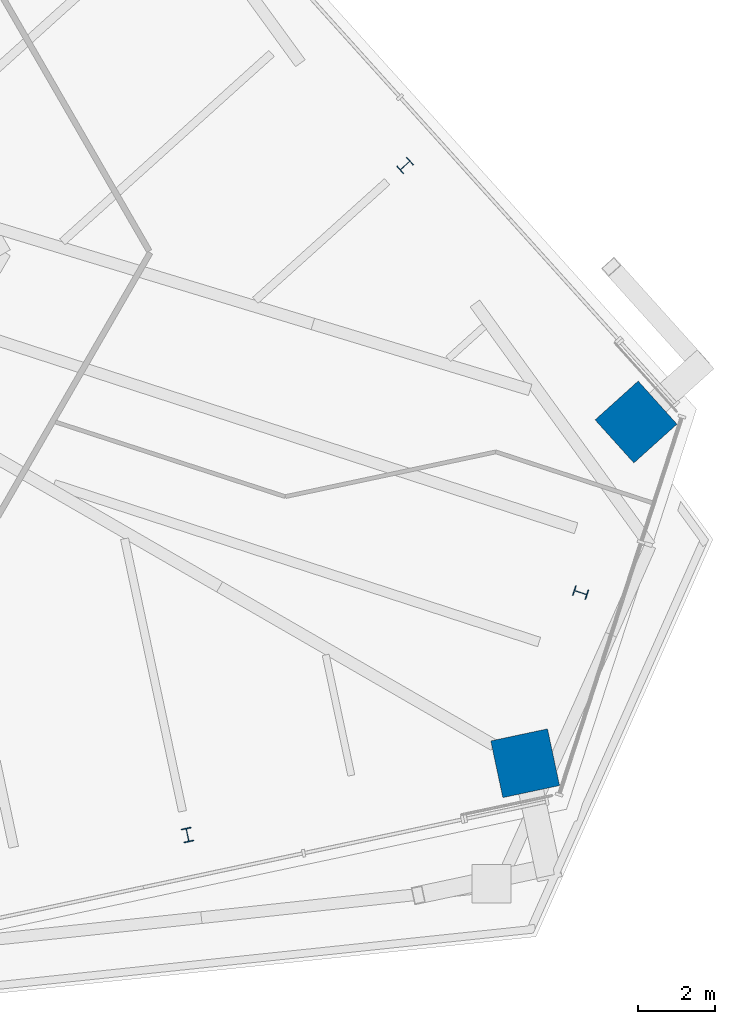
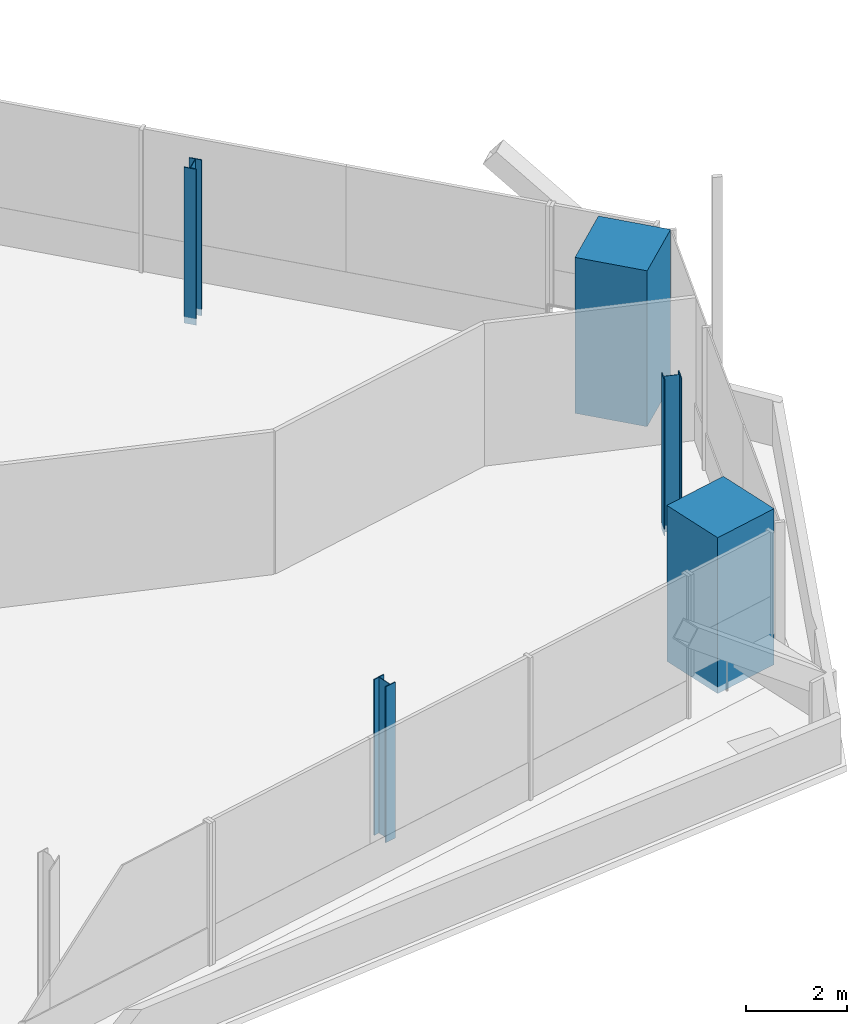
# One storey, part 2 of 20: 5 columns.
"""IFC4 building model written with IfcOpenShell, lengths in metres."""

from ifc_helpers import new_model, si_unit, direction, frame, origin, origin_2d, place, context, subcontext, project, spatial, rectangle, i_section, extrude, source, transform, mapped, material, material_profile, profile_set, type_object, element, save


model = new_model("IFC4")

# Units and contexts
model_context = context("Model", 3, precision=1e-05, world=origin(), true_north=direction((0.0, 1.0)))
body_context = subcontext(model_context, "Body", "Model", "MODEL_VIEW")
ifc_project = project(units=[si_unit("LENGTHUNIT", "METRE"), si_unit("AREAUNIT", "SQUARE_METRE"), si_unit("VOLUMEUNIT", "CUBIC_METRE"), si_unit("PLANEANGLEUNIT", "RADIAN"), si_unit("MASSUNIT", "GRAM", prefix="KILO")], contexts=[model_context])

# Site, building, storey
site_placement = place(None, origin())
site = spatial("IfcSite", under=ifc_project, at=site_placement, CompositionType="ELEMENT")
building_placement = place(site_placement, origin())
building = spatial("IfcBuilding", under=site, at=building_placement, Name="Triune Harvest Tower", CompositionType="ELEMENT")
storey_placement = place(building_placement, frame((0.0, 0.0, 259.5)))
storey = spatial("IfcBuildingStorey", under=building, at=storey_placement, Name="L68", CompositionType="ELEMENT", Elevation=259.5)

# Columns
ifc_material_1 = material(Name="Concrete 70 MPa", Category="concrete")
ifc_material_profile_1 = material_profile(ifc_material_1, rectangle(XDim=1.5, YDim=1.5, at=origin_2d()), Name="Composite 1500x1500")
ifc_profile_set_1 = profile_set([ifc_material_profile_1], Name="Concrete 70 MPa")
column_type_1 = type_object("IfcColumnType", Name="MC-7 Mega column Composite 1500x1500", PredefinedType="COLUMN", material=ifc_profile_set_1)
shared_shape_1 = source(origin(), body_context, "Body", "SweptSolid", [
    extrude(rectangle(XDim=1.5, YDim=1.5, at=origin_2d()), origin(), (0.0, 0.0, 1.0), 3.760009765625),
])
for number, where, z_axis, x_axis, name in (
    (1, (28.4931640625, -4.379150390625, -0.159912109375), (0.0, 0.0, 1.0), (-0.669130606359, 0.743144825477, 0.0), "col/L68/M0"),
    (2, (25.62548828125, -13.205078125, -0.159912109375), (0.0, 0.0, 1.0), (0.978147237858, 0.207913398007, 0.0), "col/L68/M19"),
):
    element("IfcColumn", number, at=place(storey_placement, frame(where, z_axis=z_axis, x_axis=x_axis)), inside=storey, type_object=column_type_1, Name=name, PredefinedType="COLUMN", context=body_context, shape_type="MappedRepresentation", body=[
        mapped(shared_shape_1, transform((0.0, 0.0, 0.0), scale=1.0)),
    ])
ifc_material_2 = material(Name="Steel ASTM A992 Gr 50", Category="steel")
ifc_material_profile_2 = material_profile(ifc_material_2, i_section(OverallWidth=0.256591796875, OverallDepth=0.360595703125, WebThickness=0.011474609375, FlangeThickness=0.02001953125, at=origin_2d()), Name="W14x74")
ifc_profile_set_2 = profile_set([ifc_material_profile_2], Name="Steel ASTM A992 Gr 50")
column_type_2 = type_object("IfcColumnType", Name="PC-7 Perimeter column W14x74", PredefinedType="COLUMN", material=ifc_profile_set_2)
shared_shape_2 = source(origin(), body_context, "Body", "SweptSolid", [
    extrude(i_section(OverallWidth=0.256591796875, OverallDepth=0.360595703125, WebThickness=0.011474609375, FlangeThickness=0.02001953125, at=origin_2d()), origin(), (0.0, 0.0, 1.0), 3.760009765625),
])
for number, where, z_axis, x_axis, name in (
    (3, (22.519287109375, 2.255615234375, -0.159912109375), (0.0, 0.0, 1.0), (-0.669130606359, 0.743144825477, 0.0), "col/L68/P1"),
    (4, (16.892578125, -15.061279296875, -0.159912109375), (0.0, 0.0, 1.0), (0.978147237858, 0.207913398007, 0.0), "col/L68/P18"),
    (5, (27.059326171875, -8.7919921875, -0.159912109375), (0.0, 0.0, 1.0), (0.309016994375, 0.951056516295, 0.0), "col/L68/P20"),
):
    element("IfcColumn", number, at=place(storey_placement, frame(where, z_axis=z_axis, x_axis=x_axis)), inside=storey, type_object=column_type_2, Name=name, PredefinedType="COLUMN", context=body_context, shape_type="MappedRepresentation", body=[
        mapped(shared_shape_2, transform((0.0, 0.0, 0.0), scale=1.0)),
    ])

save(model, "model.ifc")
